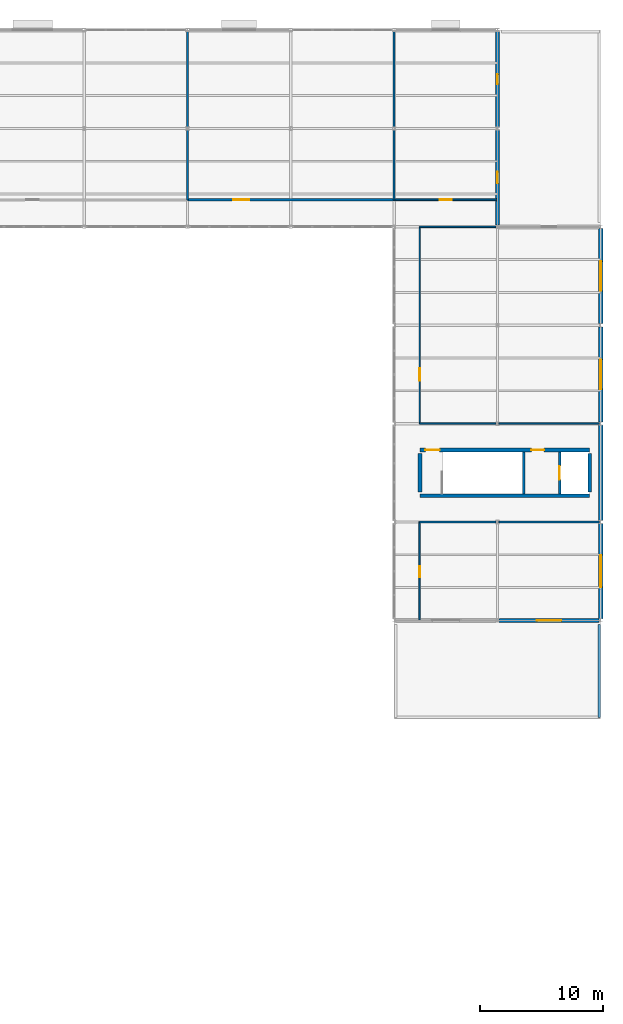
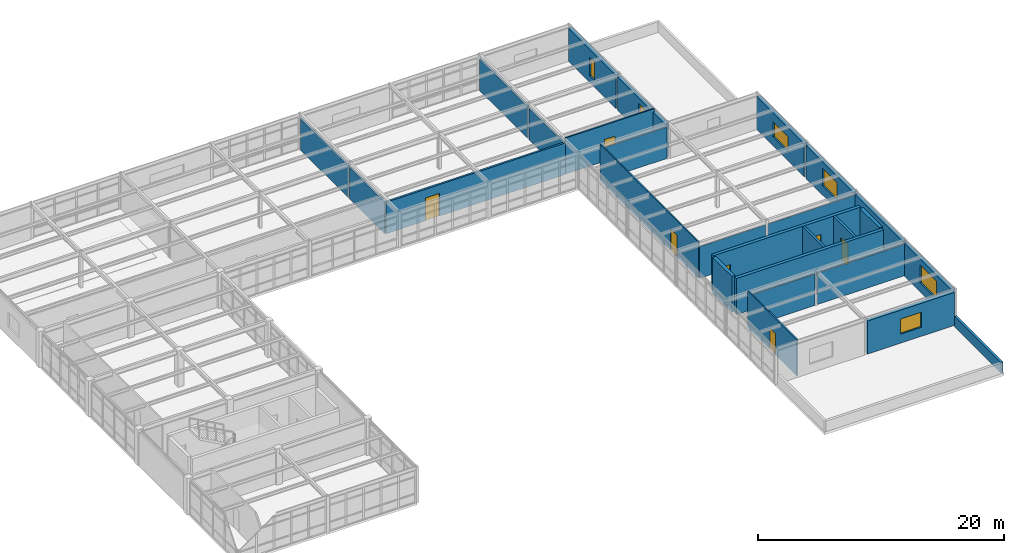
# One storey, part 46 of 53: 27 walls, 7 doors, 6 windows, 13 openings.
"""IFC4 building model written with IfcOpenShell, lengths in metres."""

from ifc_helpers import new_model, si_unit, direction, frame, frame_2d, origin, place, context, subcontext, project, spatial, rectangle, extrude, material, layer, layer_set, type_object, element, fill, save


model = new_model("IFC4")

# Units and contexts
model_context = context("Model", 3, precision=1e-05, world=origin(), true_north=direction((0.0, 1.0)))
body_context = subcontext(model_context, "Body", "Model", "MODEL_VIEW")
ifc_project = project(units=[si_unit("LENGTHUNIT", "METRE"), si_unit("AREAUNIT", "SQUARE_METRE"), si_unit("VOLUMEUNIT", "CUBIC_METRE"), si_unit("PLANEANGLEUNIT", "RADIAN"), si_unit("MASSUNIT", "GRAM", prefix="KILO")], contexts=[model_context])

# Site, building, storey
site_placement = place(None, origin())
site = spatial("IfcSite", under=ifc_project, at=site_placement, CompositionType="ELEMENT")
building_placement = place(site_placement, origin())
building = spatial("IfcBuilding", under=site, at=building_placement, Name="Kranzveld Transit Interchange", CompositionType="ELEMENT")
storey_placement = place(building_placement, frame((0.0, 0.0, 13.360107421875)))
storey = spatial("IfcBuildingStorey", under=building, at=storey_placement, Name="L03", CompositionType="ELEMENT", Elevation=13.360107421875)

# Walls
ifc_material_1 = material(Name="Clay masonry unit wall, 20 MPa", Category="masonry")
ifc_layer_1 = layer(ifc_material_1, 0.1650390625)
ifc_layer_set_1 = layer_set([ifc_layer_1], Name="Clay masonry unit wall, 20 MPa")
wall_type_1 = type_object("IfcWallType", Name="Acoustic Double-Stud Partition 165", PredefinedType="PARTITIONING", material=ifc_layer_set_1)
wall_1_placement = place(storey_placement, frame((134.39990234375, 98.199951171875, 0.0), z_axis=(0.0, 0.0, 1.0), x_axis=(0.0, 1.0, 0.0)))
element("IfcWall", 1, at=wall_1_placement, inside=storey, type_object=wall_type_1, Name="L03 Partition IW-L03-L03V4N-E-306-0", PredefinedType="PARTITIONING", context=body_context, shape_type="SweptSolid", body=[
    extrude(rectangle(XDim=5.679931640625, YDim=0.1650390625, at=frame_2d((2.83984375, 0.0))), origin(), (0.0, 0.0, 1.0), 3.12646484375),
])
wall_2_placement = place(storey_placement, frame((134.39990234375, 104.1201171875, 0.0), z_axis=(0.0, 0.0, 1.0), x_axis=(0.0, 1.0, 0.0)))
element("IfcWall", 2, at=wall_2_placement, inside=storey, type_object=wall_type_1, Name="L03 Partition IW-L03-L03V4N-E-306-1", PredefinedType="PARTITIONING", context=body_context, shape_type="SweptSolid", body=[
    extrude(rectangle(XDim=7.759765625, YDim=0.1650390625, at=frame_2d((3.8798828125, 0.0))), origin(), (0.0, 0.0, 1.0), 3.12646484375),
])
ifc_material_2 = material(Name="Concrete C40/50", Category="concrete")
ifc_layer_2 = layer(ifc_material_2, 0.300048828125)
ifc_layer_set_2 = layer_set([ifc_layer_2], Name="Concrete C40/50")
wall_type_2 = type_object("IfcWallType", Name="Core Shear Wall RC 300 C40/50", PredefinedType="SHEAR", material=ifc_layer_set_2)
wall_3_placement = place(storey_placement, frame((153.300048828125, 74.139892578125, 0.0), z_axis=(0.0, 0.0, 1.0), x_axis=(1.0, 0.0, 0.0)))
element("IfcWall", 3, at=wall_3_placement, inside=storey, type_object=wall_type_2, Name="L03 Community East Core C4 Shear Wall S", PredefinedType="SHEAR", context=body_context, shape_type="SweptSolid", body=[
    extrude(rectangle(XDim=13.800048828125, YDim=0.300048828125, at=frame_2d((6.89990234375, 0.0))), origin(), (0.0, 0.0, 1.0), 3.579833984375),
])

# Wall, openings, doors
wall_4_placement = place(storey_placement, frame((153.300048828125, 77.860107421875, 0.0), z_axis=(0.0, 0.0, 1.0), x_axis=(1.0, 0.0, 0.0)))
wall_4 = element("IfcWall", 4, at=wall_4_placement, inside=storey, type_object=wall_type_2, Name="L03 Community East Core C4 Shear Wall N", PredefinedType="SHEAR", context=body_context, shape_type="SweptSolid", body=[
    extrude(rectangle(XDim=13.800048828125, YDim=0.300048828125, at=frame_2d((6.89990234375, 0.0))), origin(), (0.0, 0.0, 1.0), 3.579833984375),
])
opening_1_placement = place(wall_4_placement, frame((0.449951171875, 0.0, 0.0), z_axis=(0.0, 0.0, 1.0), x_axis=(1.0, 0.0, 0.0)))
opening_1 = element("IfcOpeningElement", 5, at=opening_1_placement, cuts=wall_4, Name="Opening D-ST-C4-L03", PredefinedType="OPENING", context=body_context, shape_type="SweptSolid", body=[
    extrude(rectangle(XDim=1.14990234375, YDim=2.14990234375, at=frame_2d((0.574951171875, 1.074951171875))), frame((0.0, 0.159912109375, 0.0), z_axis=(0.0, -1.0, 0.0), x_axis=(1.0, 0.0, 0.0)), (0.0, 0.0, 1.0), 0.320068359375),
])
opening_2_placement = place(wall_4_placement, frame((9.050048828125, 0.0, 0.0), z_axis=(0.0, 0.0, 1.0), x_axis=(1.0, 0.0, 0.0)))
opening_2 = element("IfcOpeningElement", 6, at=opening_2_placement, cuts=wall_4, Name="Opening D-LB-C4-L03", PredefinedType="OPENING", context=body_context, shape_type="SweptSolid", body=[
    extrude(rectangle(XDim=1.050048828125, YDim=2.14990234375, at=frame_2d((0.52490234375, 1.074951171875))), frame((0.0, 0.159912109375, 0.0), z_axis=(0.0, -1.0, 0.0), x_axis=(1.0, 0.0, 0.0)), (0.0, 0.0, 1.0), 0.320068359375),
])
ifc_material_3 = material(Name="Steel S355JR", Category="steel")
door_type_1 = type_object("IfcDoorType", Name="Lift Lobby Fire Door 1050x2150 FD120S", OperationType="NOTDEFINED", PredefinedType="DOOR", material=ifc_material_3)
door_1_placement = place(opening_2_placement, origin())
door_1 = element("IfcDoor", 7, at=door_1_placement, inside=storey, type_object=door_type_1, Name="L03 Community East Core C4 Lift Protected Lobby Door", OperationType="SINGLE_SWING_RIGHT", OverallHeight=2.14990234375, OverallWidth=1.050048828125, PredefinedType="DOOR", context=body_context, shape_type="SweptSolid", body=[
    extrude(rectangle(XDim=1.050048828125, YDim=2.14990234375, at=frame_2d((0.52490234375, 1.074951171875))), frame((0.0, 0.02490234375, 0.0), z_axis=(0.0, -1.0, 0.0), x_axis=(1.0, 0.0, 0.0)), (0.0, 0.0, 1.0), 0.050048828125),
])
fill(opening_2, door_1)
ifc_material_4 = material(Name="Steel S355JR", Category="steel")
door_type_2 = type_object("IfcDoorType", Name="Stair Core Fire Door 1150x2150 FD120S", OperationType="NOTDEFINED", PredefinedType="DOOR", material=ifc_material_4)
door_2_placement = place(opening_1_placement, origin())
door_2 = element("IfcDoor", 8, at=door_2_placement, inside=storey, type_object=door_type_2, Name="L03 ST-V4B Protected Stair Door", OperationType="SINGLE_SWING_RIGHT", OverallHeight=2.14990234375, OverallWidth=1.14990234375, PredefinedType="DOOR", context=body_context, shape_type="SweptSolid", body=[
    extrude(rectangle(XDim=1.14990234375, YDim=2.14990234375, at=frame_2d((0.574951171875, 1.074951171875))), frame((0.0, 0.02490234375, 0.0), z_axis=(0.0, -1.0, 0.0), x_axis=(1.0, 0.0, 0.0)), (0.0, 0.0, 1.0), 0.050048828125),
])
fill(opening_1, door_2)

# Walls
for number, where, z_axis, x_axis, name in (
    (9, (153.300048828125, 74.43994140625, 0.0), (0.0, 0.0, 1.0), (0.0, 1.0, 0.0), "L03 Community East Core C4 Shear Wall W"),
    (10, (167.10009765625, 74.43994140625, 0.0), (0.0, 0.0, 1.0), (0.0, 1.0, 0.0), "L03 Community East Core C4 Shear Wall E"),
):
    element("IfcWall", number, at=place(storey_placement, frame(where, z_axis=z_axis, x_axis=x_axis)), inside=storey, type_object=wall_type_2, Name=name, PredefinedType="SHEAR", context=body_context, shape_type="SweptSolid", body=[
        extrude(rectangle(XDim=3.1201171875, YDim=0.300048828125, at=frame_2d((1.56005859375, 0.0))), origin(), (0.0, 0.0, 1.0), 3.579833984375),
    ])

# Wall, opening, window
ifc_material_5 = material(Name="Pretoria red-purple clinker clay face brick, 35 MPa", Category="masonry")
ifc_layer_3 = layer(ifc_material_5, 0.340087890625)
ifc_layer_set_3 = layer_set([ifc_layer_3], Name="Pretoria red-purple clinker clay face brick, 35 MPa")
wall_type_3 = type_object("IfcWallType", Name="Exterior Cavity Wall Red Clinker 340", PredefinedType="SOLIDWALL", material=ifc_layer_set_3)
wall_5_placement = place(storey_placement, frame((168.0, 64.130126953125, 0.0), z_axis=(0.0, 0.0, 1.0), x_axis=(0.0, 1.0, 0.0)))
wall_5 = element("IfcWall", 11, at=wall_5_placement, inside=storey, type_object=wall_type_3, Name="L03 Clinker Facade Wall 21/J-21/K", PredefinedType="SOLIDWALL", context=body_context, shape_type="SweptSolid", body=[
    extrude(rectangle(XDim=7.73974609375, YDim=0.340087890625, at=frame_2d((3.869873046875, 0.0))), origin(), (0.0, 0.0, 1.0), 3.27978515625),
])
opening_3_placement = place(wall_5_placement, frame((2.56982421875, 0.0, 0.89990234375), z_axis=(0.0, 0.0, 1.0), x_axis=(1.0, 0.0, 0.0)))
opening_3 = element("IfcOpeningElement", 12, at=opening_3_placement, cuts=wall_5, Name="Opening W-06", PredefinedType="OPENING", context=body_context, shape_type="SweptSolid", body=[
    extrude(rectangle(XDim=2.60009765625, YDim=1.800048828125, at=frame_2d((1.300048828125, 0.89990234375))), frame((0.0, 0.179931640625, 0.0), z_axis=(0.0, -1.0, 0.0), x_axis=(1.0, 0.0, 0.0)), (0.0, 0.0, 1.0), 0.360107421875),
])
ifc_material_6 = material(Name="Solar-control double glazing", Category="glass")
window_type_1 = type_object("IfcWindowType", Name="Window Civic Double 2600x1800", PartitioningType="DOUBLE_PANEL_VERTICAL", PredefinedType="WINDOW", material=ifc_material_6)
window_1_placement = place(opening_3_placement, origin())
window_1 = element("IfcWindow", 13, at=window_1_placement, inside=storey, type_object=window_type_1, Name="L03 Facade Window 21/J", OverallHeight=1.800048828125, OverallWidth=2.60009765625, PartitioningType="DOUBLE_PANEL_VERTICAL", PredefinedType="WINDOW", context=body_context, shape_type="SweptSolid", body=[
    extrude(rectangle(XDim=2.60009765625, YDim=1.800048828125, at=frame_2d((1.300048828125, 0.89990234375))), frame((0.0, 0.030029296875, 0.0), z_axis=(0.0, -1.0, 0.0), x_axis=(1.0, 0.0, 0.0)), (0.0, 0.0, 1.0), 0.06005859375),
])
fill(opening_3, window_1)

# Wall
wall_6_placement = place(storey_placement, frame((168.0, 72.130126953125, 0.0), z_axis=(0.0, 0.0, 1.0), x_axis=(0.0, 1.0, 0.0)))
element("IfcWall", 14, at=wall_6_placement, inside=storey, type_object=wall_type_3, Name="L03 Clinker Facade Wall 21/K-21/L", PredefinedType="SOLIDWALL", context=body_context, shape_type="SweptSolid", body=[
    extrude(rectangle(XDim=7.73974609375, YDim=0.340087890625, at=frame_2d((3.869873046875, 0.0))), origin(), (0.0, 0.0, 1.0), 3.27978515625),
])

# Wall, opening, window
wall_7_placement = place(storey_placement, frame((168.0, 80.130126953125, 0.0), z_axis=(0.0, 0.0, 1.0), x_axis=(0.0, 1.0, 0.0)))
wall_7 = element("IfcWall", 15, at=wall_7_placement, inside=storey, type_object=wall_type_3, Name="L03 Clinker Facade Wall 21/L-21/M", PredefinedType="SOLIDWALL", context=body_context, shape_type="SweptSolid", body=[
    extrude(rectangle(XDim=7.73974609375, YDim=0.340087890625, at=frame_2d((3.869873046875, 0.0))), origin(), (0.0, 0.0, 1.0), 3.27978515625),
])
opening_4_placement = place(wall_7_placement, frame((2.669921875, 0.0, 0.89990234375), z_axis=(0.0, 0.0, 1.0), x_axis=(1.0, 0.0, 0.0)))
opening_4 = element("IfcOpeningElement", 16, at=opening_4_placement, cuts=wall_7, Name="Opening W-07", PredefinedType="OPENING", context=body_context, shape_type="SweptSolid", body=[
    extrude(rectangle(XDim=2.39990234375, YDim=1.75, at=frame_2d((1.199951171875, 0.875))), frame((0.0, 0.179931640625, 0.0), z_axis=(0.0, -1.0, 0.0), x_axis=(1.0, 0.0, 0.0)), (0.0, 0.0, 1.0), 0.360107421875),
])
ifc_material_7 = material(Name="Solar-control double glazing", Category="glass")
window_type_2 = type_object("IfcWindowType", Name="Window Civic Double 2400x1750", PartitioningType="DOUBLE_PANEL_VERTICAL", PredefinedType="WINDOW", material=ifc_material_7)
window_2_placement = place(opening_4_placement, origin())
window_2 = element("IfcWindow", 17, at=window_2_placement, inside=storey, type_object=window_type_2, Name="L03 Facade Window 21/L", OverallHeight=1.75, OverallWidth=2.39990234375, PartitioningType="DOUBLE_PANEL_VERTICAL", PredefinedType="WINDOW", context=body_context, shape_type="SweptSolid", body=[
    extrude(rectangle(XDim=2.39990234375, YDim=1.75, at=frame_2d((1.199951171875, 0.875))), frame((0.0, 0.030029296875, 0.0), z_axis=(0.0, -1.0, 0.0), x_axis=(1.0, 0.0, 0.0)), (0.0, 0.0, 1.0), 0.06005859375),
])
fill(opening_4, window_2)

wall_8_placement = place(storey_placement, frame((168.0, 88.130126953125, 0.0), z_axis=(0.0, 0.0, 1.0), x_axis=(0.0, 1.0, 0.0)))
wall_8 = element("IfcWall", 18, at=wall_8_placement, inside=storey, type_object=wall_type_3, Name="L03 Clinker Facade Wall 21/M-21/N", PredefinedType="SOLIDWALL", context=body_context, shape_type="SweptSolid", body=[
    extrude(rectangle(XDim=7.73974609375, YDim=0.340087890625, at=frame_2d((3.869873046875, 0.0))), origin(), (0.0, 0.0, 1.0), 3.27978515625),
])
opening_5_placement = place(wall_8_placement, frame((2.669921875, 0.0, 0.89990234375), z_axis=(0.0, 0.0, 1.0), x_axis=(1.0, 0.0, 0.0)))
opening_5 = element("IfcOpeningElement", 19, at=opening_5_placement, cuts=wall_8, Name="Opening W-08", PredefinedType="OPENING", context=body_context, shape_type="SweptSolid", body=[
    extrude(rectangle(XDim=2.39990234375, YDim=1.5, at=frame_2d((1.199951171875, 0.75))), frame((0.0, 0.179931640625, 0.0), z_axis=(0.0, -1.0, 0.0), x_axis=(1.0, 0.0, 0.0)), (0.0, 0.0, 1.0), 0.360107421875),
])
ifc_material_8 = material(Name="Solar-control double glazing", Category="glass")
window_type_3 = type_object("IfcWindowType", Name="Window Civic Double 2400x1500", PartitioningType="DOUBLE_PANEL_VERTICAL", PredefinedType="WINDOW", material=ifc_material_8)
window_3_placement = place(opening_5_placement, origin())
window_3 = element("IfcWindow", 20, at=window_3_placement, inside=storey, type_object=window_type_3, Name="L03 Facade Window 21/M", OverallHeight=1.5, OverallWidth=2.39990234375, PartitioningType="DOUBLE_PANEL_VERTICAL", PredefinedType="WINDOW", context=body_context, shape_type="SweptSolid", body=[
    extrude(rectangle(XDim=2.39990234375, YDim=1.5, at=frame_2d((1.199951171875, 0.75))), frame((0.0, 0.030029296875, 0.0), z_axis=(0.0, -1.0, 0.0), x_axis=(1.0, 0.0, 0.0)), (0.0, 0.0, 1.0), 0.06005859375),
])
fill(opening_5, window_3)

wall_9_placement = place(storey_placement, frame((159.72802734375, 64.0, 0.0), z_axis=(0.0, 0.0, 1.0), x_axis=(1.0, 0.0, 0.0)))
wall_9 = element("IfcWall", 21, at=wall_9_placement, inside=storey, type_object=wall_type_3, Name="L03 Clinker Facade Wall 20/J-21/J", PredefinedType="SOLIDWALL", context=body_context, shape_type="SweptSolid", body=[
    extrude(rectangle(XDim=8.143798828125, YDim=0.340087890625, at=frame_2d((4.07177734375, 0.0))), origin(), (0.0, 0.0, 1.0), 3.27978515625),
])
opening_6_placement = place(wall_9_placement, frame((3.072021484375, 0.0, 0.89990234375), z_axis=(0.0, 0.0, 1.0), x_axis=(1.0, 0.0, 0.0)))
opening_6 = element("IfcOpeningElement", 22, at=opening_6_placement, cuts=wall_9, Name="Opening W-10", PredefinedType="OPENING", context=body_context, shape_type="SweptSolid", body=[
    extrude(rectangle(XDim=2.0, YDim=1.5, at=frame_2d((1.0, 0.75))), frame((0.0, 0.179931640625, 0.0), z_axis=(0.0, -1.0, 0.0), x_axis=(1.0, 0.0, 0.0)), (0.0, 0.0, 1.0), 0.360107421875),
])
ifc_material_9 = material(Name="Solar-control double glazing", Category="glass")
window_type_4 = type_object("IfcWindowType", Name="Window Office Double 2000x1500", PartitioningType="DOUBLE_PANEL_VERTICAL", PredefinedType="WINDOW", material=ifc_material_9)
window_4_placement = place(opening_6_placement, origin())
window_4 = element("IfcWindow", 23, at=window_4_placement, inside=storey, type_object=window_type_4, Name="L03 Facade Window 20/J", OverallHeight=1.5, OverallWidth=2.0, PartitioningType="DOUBLE_PANEL_VERTICAL", PredefinedType="WINDOW", context=body_context, shape_type="SweptSolid", body=[
    extrude(rectangle(XDim=2.0, YDim=1.5, at=frame_2d((1.0, 0.75))), frame((0.0, 0.030029296875, 0.0), z_axis=(0.0, -1.0, 0.0), x_axis=(1.0, 0.0, 0.0)), (0.0, 0.0, 1.0), 0.06005859375),
])
fill(opening_6, window_4)

wall_10_placement = place(storey_placement, frame((159.60009765625, 96.130126953125, 0.0), z_axis=(0.0, 0.0, 1.0), x_axis=(0.0, 1.0, 0.0)))
wall_10 = element("IfcWall", 24, at=wall_10_placement, inside=storey, type_object=wall_type_3, Name="L03 Clinker Facade Wall 20/N-20/P", PredefinedType="SOLIDWALL", context=body_context, shape_type="SweptSolid", body=[
    extrude(rectangle(XDim=7.73974609375, YDim=0.340087890625, at=frame_2d((3.869873046875, 0.0))), origin(), (0.0, 0.0, 1.0), 3.27978515625),
])
opening_7_placement = place(wall_10_placement, frame((3.39501953125, 0.0, 0.64990234375), z_axis=(0.0, 0.0, 1.0), x_axis=(1.0, 0.0, 0.0)))
opening_7 = element("IfcOpeningElement", 25, at=opening_7_placement, cuts=wall_10, Name="Opening W-17", PredefinedType="OPENING", context=body_context, shape_type="SweptSolid", body=[
    extrude(rectangle(XDim=0.949951171875, YDim=2.10009765625, at=frame_2d((0.47509765625, 1.050048828125))), frame((0.0, 0.179931640625, 0.0), z_axis=(0.0, -1.0, 0.0), x_axis=(1.0, 0.0, 0.0)), (0.0, 0.0, 1.0), 0.360107421875),
])
ifc_material_10 = material(Name="Solar-control double glazing", Category="glass")
window_type_5 = type_object("IfcWindowType", Name="Window Ladder Slot 950x2100", PartitioningType="SINGLE_PANEL", PredefinedType="WINDOW", material=ifc_material_10)
window_5_placement = place(opening_7_placement, origin())
window_5 = element("IfcWindow", 26, at=window_5_placement, inside=storey, type_object=window_type_5, Name="L03 Facade Window 20/N", OverallHeight=2.10009765625, OverallWidth=0.949951171875, PartitioningType="SINGLE_PANEL", PredefinedType="WINDOW", context=body_context, shape_type="SweptSolid", body=[
    extrude(rectangle(XDim=0.949951171875, YDim=2.10009765625, at=frame_2d((0.47509765625, 1.050048828125))), frame((0.0, 0.030029296875, 0.0), z_axis=(0.0, -1.0, 0.0), x_axis=(1.0, 0.0, 0.0)), (0.0, 0.0, 1.0), 0.06005859375),
])
fill(opening_7, window_5)

wall_11_placement = place(storey_placement, frame((159.60009765625, 104.130126953125, 0.0), z_axis=(0.0, 0.0, 1.0), x_axis=(0.0, 1.0, 0.0)))
wall_11 = element("IfcWall", 27, at=wall_11_placement, inside=storey, type_object=wall_type_3, Name="L03 Clinker Facade Wall 20/P-20/Q", PredefinedType="SOLIDWALL", context=body_context, shape_type="SweptSolid", body=[
    extrude(rectangle(XDim=7.73974609375, YDim=0.340087890625, at=frame_2d((3.869873046875, 0.0))), origin(), (0.0, 0.0, 1.0), 3.27978515625),
])
opening_8_placement = place(wall_11_placement, frame((3.469970703125, 0.0, 0.64990234375), z_axis=(0.0, 0.0, 1.0), x_axis=(1.0, 0.0, 0.0)))
opening_8 = element("IfcOpeningElement", 28, at=opening_8_placement, cuts=wall_11, Name="Opening W-18", PredefinedType="OPENING", context=body_context, shape_type="SweptSolid", body=[
    extrude(rectangle(XDim=0.800048828125, YDim=1.85009765625, at=frame_2d((0.39990234375, 0.925048828125))), frame((0.0, 0.179931640625, 0.0), z_axis=(0.0, -1.0, 0.0), x_axis=(1.0, 0.0, 0.0)), (0.0, 0.0, 1.0), 0.360107421875),
])
ifc_material_11 = material(Name="Solar-control double glazing", Category="glass")
window_type_6 = type_object("IfcWindowType", Name="Window Ladder Slot 800x1850", PartitioningType="SINGLE_PANEL", PredefinedType="WINDOW", material=ifc_material_11)
window_6_placement = place(opening_8_placement, origin())
window_6 = element("IfcWindow", 29, at=window_6_placement, inside=storey, type_object=window_type_6, Name="L03 Facade Window 20/P", OverallHeight=1.85009765625, OverallWidth=0.800048828125, PartitioningType="SINGLE_PANEL", PredefinedType="WINDOW", context=body_context, shape_type="SweptSolid", body=[
    extrude(rectangle(XDim=0.800048828125, YDim=1.85009765625, at=frame_2d((0.39990234375, 0.925048828125))), frame((0.0, 0.030029296875, 0.0), z_axis=(0.0, -1.0, 0.0), x_axis=(1.0, 0.0, 0.0)), (0.0, 0.0, 1.0), 0.06005859375),
])
fill(opening_8, window_6)

# Wall, opening, door
ifc_material_12 = material(Name="Clay masonry unit wall, 20 MPa", Category="masonry")
ifc_layer_4 = layer(ifc_material_12, 0.175048828125)
ifc_layer_set_4 = layer_set([ifc_layer_4], Name="Clay masonry unit wall, 20 MPa")
wall_type_4 = type_object("IfcWallType", Name="Heavy Acoustic Masonry Wall 175", PredefinedType="PARTITIONING", material=ifc_layer_set_4)
wall_12_placement = place(storey_placement, frame((134.39990234375, 98.199951171875, 0.0), z_axis=(0.0, 0.0, 1.0), x_axis=(1.0, 0.0, 0.0)))
wall_12 = element("IfcWall", 30, at=wall_12_placement, inside=storey, type_object=wall_type_4, Name="L03 Partition IW-L03-L03V4N-FRT-307-0", PredefinedType="PARTITIONING", context=body_context, shape_type="SweptSolid", body=[
    extrude(rectangle(XDim=16.800048828125, YDim=0.175048828125, at=frame_2d((8.39990234375, 0.0))), origin(), (0.0, 0.0, 1.0), 3.12646484375),
])
opening_9_placement = place(wall_12_placement, frame((3.699951171875, 0.0, 0.0), z_axis=(0.0, 0.0, 1.0), x_axis=(1.0, 0.0, 0.0)))
opening_9 = element("IfcOpeningElement", 31, at=opening_9_placement, cuts=wall_12, Name="Opening D-307", PredefinedType="OPENING", context=body_context, shape_type="SweptSolid", body=[
    extrude(rectangle(XDim=1.300048828125, YDim=2.25, at=frame_2d((0.64990234375, 1.125))), frame((0.0, 0.097412109375, 0.0), z_axis=(0.0, -1.0, 0.0), x_axis=(1.0, 0.0, 0.0)), (0.0, 0.0, 1.0), 0.195068359375),
])
ifc_material_13 = material(Name="Bronze-anodised thermally broken aluminium", Category="aluminium")
door_type_3 = type_object("IfcDoorType", Name="Exhibition Double Leaf Door 1300x2250", OperationType="NOTDEFINED", PredefinedType="DOOR", material=ifc_material_13)
door_3_placement = place(opening_9_placement, origin())
door_3 = element("IfcDoor", 32, at=door_3_placement, inside=storey, type_object=door_type_3, Name="L03 Interior Door D-307", OperationType="SINGLE_SWING_LEFT", OverallHeight=2.25, OverallWidth=1.300048828125, PredefinedType="DOOR", context=body_context, shape_type="SweptSolid", body=[
    extrude(rectangle(XDim=1.300048828125, YDim=2.25, at=frame_2d((0.64990234375, 1.125))), frame((0.0, 0.02490234375, 0.0), z_axis=(0.0, -1.0, 0.0), x_axis=(1.0, 0.0, 0.0)), (0.0, 0.0, 1.0), 0.050048828125),
])
fill(opening_9, door_3)

# Walls
wall_13_placement = place(storey_placement, frame((151.199951171875, 98.199951171875, 0.0), z_axis=(0.0, 0.0, 1.0), x_axis=(0.0, 1.0, 0.0)))
element("IfcWall", 33, at=wall_13_placement, inside=storey, type_object=wall_type_4, Name="L03 Partition IW-L03-L03V4N-E-307-0", PredefinedType="PARTITIONING", context=body_context, shape_type="SweptSolid", body=[
    extrude(rectangle(XDim=5.679931640625, YDim=0.175048828125, at=frame_2d((2.83984375, 0.0))), origin(), (0.0, 0.0, 1.0), 3.12646484375),
])
wall_14_placement = place(storey_placement, frame((151.199951171875, 104.1201171875, 0.0), z_axis=(0.0, 0.0, 1.0), x_axis=(0.0, 1.0, 0.0)))
element("IfcWall", 34, at=wall_14_placement, inside=storey, type_object=wall_type_4, Name="L03 Partition IW-L03-L03V4N-E-307-1", PredefinedType="PARTITIONING", context=body_context, shape_type="SweptSolid", body=[
    extrude(rectangle(XDim=7.759765625, YDim=0.175048828125, at=frame_2d((3.8798828125, 0.0))), origin(), (0.0, 0.0, 1.0), 3.12646484375),
])

# Wall, opening, door
ifc_material_14 = material(Name="Clay masonry unit wall, 20 MPa", Category="masonry")
ifc_layer_5 = layer(ifc_material_14, 0.125)
ifc_layer_set_5 = layer_set([ifc_layer_5], Name="Clay masonry unit wall, 20 MPa")
wall_type_5 = type_object("IfcWallType", Name="Internal Blockwork Partition 125", PredefinedType="PARTITIONING", material=ifc_layer_set_5)
wall_15_placement = place(storey_placement, frame((153.280029296875, 64.0400390625, 0.0), z_axis=(0.0, 0.0, 1.0), x_axis=(0.0, 1.0, 0.0)))
wall_15 = element("IfcWall", 35, at=wall_15_placement, inside=storey, type_object=wall_type_5, Name="L03 Partition IW-L03-L03V4E-FRT-323-0", PredefinedType="PARTITIONING", context=body_context, shape_type="SweptSolid", body=[
    extrude(rectangle(XDim=7.9599609375, YDim=0.125, at=frame_2d((3.97998046875, 0.0))), origin(), (0.0, 0.0, 1.0), 3.579833984375),
])
opening_10_placement = place(wall_15_placement, frame((4.35986328125, 0.0, 0.0), z_axis=(0.0, 0.0, 1.0), x_axis=(-1.0, 0.0, 0.0)))
opening_10 = element("IfcOpeningElement", 36, at=opening_10_placement, cuts=wall_15, Name="Opening D-323", PredefinedType="OPENING", context=body_context, shape_type="SweptSolid", body=[
    extrude(rectangle(XDim=0.89990234375, YDim=2.10009765625, at=frame_2d((0.449951171875, 1.050048828125))), frame((0.0, 0.072509765625, 0.0), z_axis=(0.0, -1.0, 0.0), x_axis=(1.0, 0.0, 0.0)), (0.0, 0.0, 1.0), 0.14501953125),
])
ifc_material_15 = material(Name="Bronze-anodised thermally broken aluminium", Category="aluminium")
door_type_4 = type_object("IfcDoorType", Name="Staff Office Door 900x2100", OperationType="NOTDEFINED", PredefinedType="DOOR", material=ifc_material_15)
door_4_placement = place(opening_10_placement, origin())
door_4 = element("IfcDoor", 37, at=door_4_placement, inside=storey, type_object=door_type_4, Name="L03 Interior Door D-323", OperationType="SINGLE_SWING_LEFT", OverallHeight=2.10009765625, OverallWidth=0.89990234375, PredefinedType="DOOR", context=body_context, shape_type="SweptSolid", body=[
    extrude(rectangle(XDim=0.89990234375, YDim=2.10009765625, at=frame_2d((0.449951171875, 1.050048828125))), frame((0.0, 0.02490234375, 0.0), z_axis=(0.0, -1.0, 0.0), x_axis=(1.0, 0.0, 0.0)), (0.0, 0.0, 1.0), 0.050048828125),
])
fill(opening_10, door_4)

# Walls
wall_16_placement = place(storey_placement, frame((153.280029296875, 72.0, 0.0), z_axis=(0.0, 0.0, 1.0), x_axis=(1.0, 0.0, 0.0)))
element("IfcWall", 38, at=wall_16_placement, inside=storey, type_object=wall_type_5, Name="L03 Partition IW-L03-L03V4E-N-323-0", PredefinedType="PARTITIONING", context=body_context, shape_type="SweptSolid", body=[
    extrude(rectangle(XDim=6.201904296875, YDim=0.125, at=frame_2d((3.10107421875, 0.0))), origin(), (0.0, 0.0, 1.0), 3.122802734375),
])
wall_17_placement = place(storey_placement, frame((159.718017578125, 72.0, 0.0), z_axis=(0.0, 0.0, 1.0), x_axis=(1.0, 0.0, 0.0)))
element("IfcWall", 39, at=wall_17_placement, inside=storey, type_object=wall_type_5, Name="L03 Partition IW-L03-L03V4E-N-323-1", PredefinedType="PARTITIONING", context=body_context, shape_type="SweptSolid", body=[
    extrude(rectangle(XDim=8.163818359375, YDim=0.125, at=frame_2d((4.08203125, 0.0))), origin(), (0.0, 0.0, 1.0), 3.122802734375),
])

# Wall, opening, door
ifc_material_16 = material(Name="Clay masonry unit wall, 20 MPa", Category="masonry")
ifc_layer_6 = layer(ifc_material_16, 0.114990234375)
ifc_layer_set_6 = layer_set([ifc_layer_6], Name="Clay masonry unit wall, 20 MPa")
wall_type_6 = type_object("IfcWallType", Name="Internal Masonry Partition 115", PredefinedType="PARTITIONING", material=ifc_layer_set_6)
wall_18_placement = place(storey_placement, frame((153.280029296875, 80.0, 0.0), z_axis=(0.0, 0.0, 1.0), x_axis=(0.0, 1.0, 0.0)))
wall_18 = element("IfcWall", 40, at=wall_18_placement, inside=storey, type_object=wall_type_6, Name="L03 Partition IW-L03-L03V4E-FRT-318-0", PredefinedType="PARTITIONING", context=body_context, shape_type="SweptSolid", body=[
    extrude(rectangle(XDim=16.0, YDim=0.114990234375, at=frame_2d((8.0, 0.0))), origin(), (0.0, 0.0, 1.0), 3.579833984375),
])
opening_11_placement = place(wall_18_placement, frame((4.52001953125, 0.0, 0.0), z_axis=(0.0, 0.0, 1.0), x_axis=(-1.0, 0.0, 0.0)))
opening_11 = element("IfcOpeningElement", 41, at=opening_11_placement, cuts=wall_18, Name="Opening D-318", PredefinedType="OPENING", context=body_context, shape_type="SweptSolid", body=[
    extrude(rectangle(XDim=1.02001953125, YDim=2.159912109375, at=frame_2d((0.510009765625, 1.080078125))), frame((0.0, 0.0673828125, 0.0), z_axis=(0.0, -1.0, 0.0), x_axis=(1.0, 0.0, 0.0)), (0.0, 0.0, 1.0), 0.135009765625),
])
ifc_material_17 = material(Name="Bronze-anodised thermally broken aluminium", Category="aluminium")
door_type_5 = type_object("IfcDoorType", Name="Studio Wide Door 1020x2160", OperationType="NOTDEFINED", PredefinedType="DOOR", material=ifc_material_17)
door_5_placement = place(opening_11_placement, origin())
door_5 = element("IfcDoor", 42, at=door_5_placement, inside=storey, type_object=door_type_5, Name="L03 Interior Door D-318", OperationType="SINGLE_SWING_RIGHT", OverallHeight=2.159912109375, OverallWidth=1.02001953125, PredefinedType="DOOR", context=body_context, shape_type="SweptSolid", body=[
    extrude(rectangle(XDim=1.02001953125, YDim=2.159912109375, at=frame_2d((0.510009765625, 1.080078125))), frame((0.0, 0.02490234375, 0.0), z_axis=(0.0, -1.0, 0.0), x_axis=(1.0, 0.0, 0.0)), (0.0, 0.0, 1.0), 0.050048828125),
])
fill(opening_11, door_5)

# Walls
wall_19_placement = place(storey_placement, frame((153.280029296875, 80.0, 0.0), z_axis=(0.0, 0.0, 1.0), x_axis=(1.0, 0.0, 0.0)))
element("IfcWall", 43, at=wall_19_placement, inside=storey, type_object=wall_type_6, Name="L03 Partition IW-L03-L03V4E-S-318-0", PredefinedType="PARTITIONING", context=body_context, shape_type="SweptSolid", body=[
    extrude(rectangle(XDim=6.201904296875, YDim=0.114990234375, at=frame_2d((3.10107421875, 0.0))), origin(), (0.0, 0.0, 1.0), 3.122802734375),
])
wall_20_placement = place(storey_placement, frame((159.718017578125, 80.0, 0.0), z_axis=(0.0, 0.0, 1.0), x_axis=(1.0, 0.0, 0.0)))
element("IfcWall", 44, at=wall_20_placement, inside=storey, type_object=wall_type_6, Name="L03 Partition IW-L03-L03V4E-S-318-1", PredefinedType="PARTITIONING", context=body_context, shape_type="SweptSolid", body=[
    extrude(rectangle(XDim=8.163818359375, YDim=0.114990234375, at=frame_2d((4.08203125, 0.0))), origin(), (0.0, 0.0, 1.0), 3.122802734375),
])
wall_21_placement = place(storey_placement, frame((153.280029296875, 96.0, 0.0), z_axis=(0.0, 0.0, 1.0), x_axis=(1.0, 0.0, 0.0)))
element("IfcWall", 45, at=wall_21_placement, inside=storey, type_object=wall_type_6, Name="L03 Partition IW-L03-L03V4E-N-318-0", PredefinedType="PARTITIONING", context=body_context, shape_type="SweptSolid", body=[
    extrude(rectangle(XDim=6.201904296875, YDim=0.114990234375, at=frame_2d((3.10107421875, 0.0))), origin(), (0.0, 0.0, 1.0), 3.122802734375),
])
ifc_material_18 = material(Name="Concrete C40/50", Category="concrete")
ifc_layer_7 = layer(ifc_material_18, 0.199951171875)
ifc_layer_set_7 = layer_set([ifc_layer_7], Name="Concrete C40/50")
wall_type_7 = type_object("IfcWallType", Name="Lift Shaft Enclosure Wall RC 200 EI120", PredefinedType="SHEAR", material=ifc_layer_set_7)
wall_22_placement = place(storey_placement, frame((161.75, 74.2900390625, 0.0), z_axis=(0.0, 0.0, 1.0), x_axis=(0.0, 1.0, 0.0)))
element("IfcWall", 46, at=wall_22_placement, inside=storey, type_object=wall_type_7, Name="L03 Community East Core C4 Stair-Lobby Dividing Wall", PredefinedType="SHEAR", context=body_context, shape_type="SweptSolid", body=[
    extrude(rectangle(XDim=3.419921875, YDim=0.199951171875, at=frame_2d((1.7099609375, 0.0))), origin(), (0.0, 0.0, 1.0), 3.579833984375),
])

# Wall, opening, door
wall_23_placement = place(storey_placement, frame((164.64990234375, 74.2900390625, 0.0), z_axis=(0.0, 0.0, 1.0), x_axis=(0.0, 1.0, 0.0)))
wall_23 = element("IfcWall", 47, at=wall_23_placement, inside=storey, type_object=wall_type_7, Name="L03 LF-V4B Shaft Front Wall", PredefinedType="SHEAR", context=body_context, shape_type="SweptSolid", body=[
    extrude(rectangle(XDim=3.419921875, YDim=0.199951171875, at=frame_2d((1.7099609375, 0.0))), origin(), (0.0, 0.0, 1.0), 3.579833984375),
])
opening_12_placement = place(wall_23_placement, frame((1.159912109375, 0.0, 0.0), z_axis=(0.0, 0.0, 1.0), x_axis=(1.0, 0.0, 0.0)))
opening_12 = element("IfcOpeningElement", 48, at=opening_12_placement, cuts=wall_23, Name="Opening LD-LF-V4B-L03", PredefinedType="OPENING", context=body_context, shape_type="SweptSolid", body=[
    extrude(rectangle(XDim=1.10009765625, YDim=2.14990234375, at=frame_2d((0.550048828125, 1.074951171875))), frame((0.0, 0.10986328125, 0.0), z_axis=(0.0, -1.0, 0.0), x_axis=(1.0, 0.0, 0.0)), (0.0, 0.0, 1.0), 0.219970703125),
])
ifc_material_19 = material(Name="Steel S355JR", Category="steel")
door_type_6 = type_object("IfcDoorType", Name="Lift Landing Sliding Door 1100x2150 FD120S", OperationType="NOTDEFINED", PredefinedType="DOOR", material=ifc_material_19)
door_6_placement = place(opening_12_placement, origin())
door_6 = element("IfcDoor", 49, at=door_6_placement, inside=storey, type_object=door_type_6, Name="L03 LF-V4B Sliding Landing Door", OperationType="DOUBLE_DOOR_SLIDING", OverallHeight=2.14990234375, OverallWidth=1.10009765625, PredefinedType="DOOR", context=body_context, shape_type="SweptSolid", body=[
    extrude(rectangle(XDim=1.10009765625, YDim=2.14990234375, at=frame_2d((0.550048828125, 1.074951171875))), frame((0.0, 0.02490234375, 0.0), z_axis=(0.0, -1.0, 0.0), x_axis=(1.0, 0.0, 0.0)), (0.0, 0.0, 1.0), 0.050048828125),
])
fill(opening_12, door_6)

ifc_material_20 = material(Name="Clay masonry unit wall, 20 MPa", Category="masonry")
ifc_layer_8 = layer(ifc_material_20, 0.135009765625)
ifc_layer_set_8 = layer_set([ifc_layer_8], Name="Clay masonry unit wall, 20 MPa")
wall_type_8 = type_object("IfcWallType", Name="Medium Blockwork Partition 135", PredefinedType="PARTITIONING", material=ifc_layer_set_8)
wall_24_placement = place(storey_placement, frame((151.199951171875, 98.199951171875, 0.0), z_axis=(0.0, 0.0, 1.0), x_axis=(1.0, 0.0, 0.0)))
wall_24 = element("IfcWall", 50, at=wall_24_placement, inside=storey, type_object=wall_type_8, Name="L03 Partition IW-L03-L03V4N-FRT-308-0", PredefinedType="PARTITIONING", context=body_context, shape_type="SweptSolid", body=[
    extrude(rectangle(XDim=8.360107421875, YDim=0.135009765625, at=frame_2d((4.18017578125, 0.0))), origin(), (0.0, 0.0, 1.0), 3.579833984375),
])
opening_13_placement = place(wall_24_placement, frame((3.699951171875, 0.0, 0.0), z_axis=(0.0, 0.0, 1.0), x_axis=(1.0, 0.0, 0.0)))
opening_13 = element("IfcOpeningElement", 51, at=opening_13_placement, cuts=wall_24, Name="Opening D-308", PredefinedType="OPENING", context=body_context, shape_type="SweptSolid", body=[
    extrude(rectangle(XDim=0.97998046875, YDim=2.14990234375, at=frame_2d((0.489990234375, 1.074951171875))), frame((0.0, 0.077392578125, 0.0), z_axis=(0.0, -1.0, 0.0), x_axis=(1.0, 0.0, 0.0)), (0.0, 0.0, 1.0), 0.155029296875),
])
ifc_material_21 = material(Name="Bronze-anodised thermally broken aluminium", Category="aluminium")
door_type_7 = type_object("IfcDoorType", Name="Retail Back-of-House Door 980x2150", OperationType="NOTDEFINED", PredefinedType="DOOR", material=ifc_material_21)
door_7_placement = place(opening_13_placement, origin())
door_7 = element("IfcDoor", 52, at=door_7_placement, inside=storey, type_object=door_type_7, Name="L03 Interior Door D-308", OperationType="SINGLE_SWING_RIGHT", OverallHeight=2.14990234375, OverallWidth=0.97998046875, PredefinedType="DOOR", context=body_context, shape_type="SweptSolid", body=[
    extrude(rectangle(XDim=0.97998046875, YDim=2.14990234375, at=frame_2d((0.489990234375, 1.074951171875))), frame((0.0, 0.02490234375, 0.0), z_axis=(0.0, -1.0, 0.0), x_axis=(1.0, 0.0, 0.0)), (0.0, 0.0, 1.0), 0.050048828125),
])
fill(opening_13, door_7)

# Wall
ifc_material_22 = material(Name="Dark Pretoria clinker clay plinth brick, 40 MPa", Category="masonry")
ifc_layer_9 = layer(ifc_material_22, 0.215087890625)
ifc_layer_set_9 = layer_set([ifc_layer_9], Name="Dark Pretoria clinker clay plinth brick, 40 MPa")
wall_type_9 = type_object("IfcWallType", Name="Terrace Parapet Upstand Brick 215", PredefinedType="PARAPET", material=ifc_layer_set_9)
wall_25_placement = place(storey_placement, frame((167.8798828125, 63.64990234375, 0.0), z_axis=(0.0, 0.0, 1.0), x_axis=(0.0, -1.0, 0.0)))
element("IfcWall", 53, at=wall_25_placement, inside=storey, type_object=wall_type_9, Name="L03 Roof Parapet 023", PredefinedType="PARAPET", context=body_context, shape_type="SweptSolid", body=[
    extrude(rectangle(XDim=7.52978515625, YDim=0.215087890625, at=frame_2d((3.764892578125, 0.0))), origin(), (0.0, 0.0, 1.0), 1.0498046875),
])

save(model, "model.ifc")
